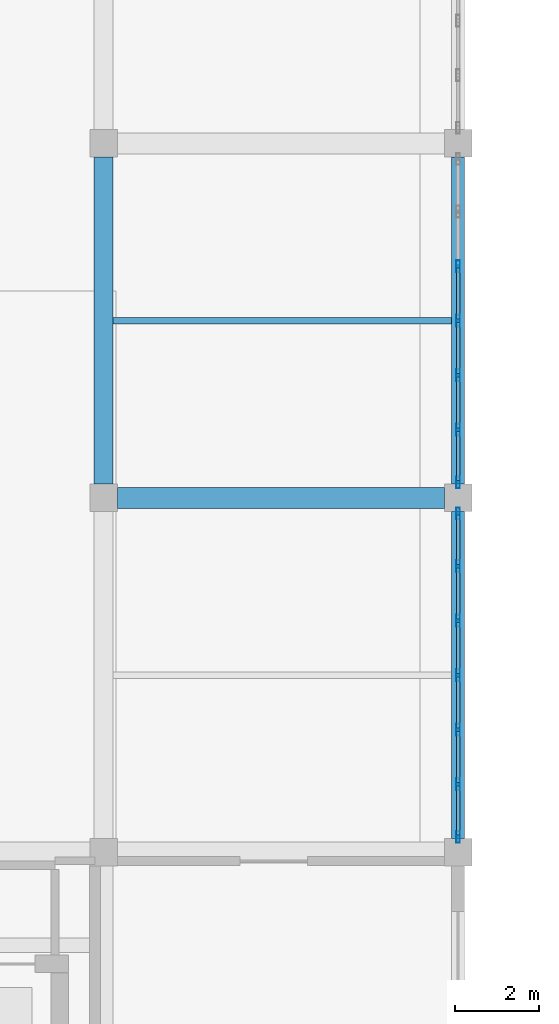
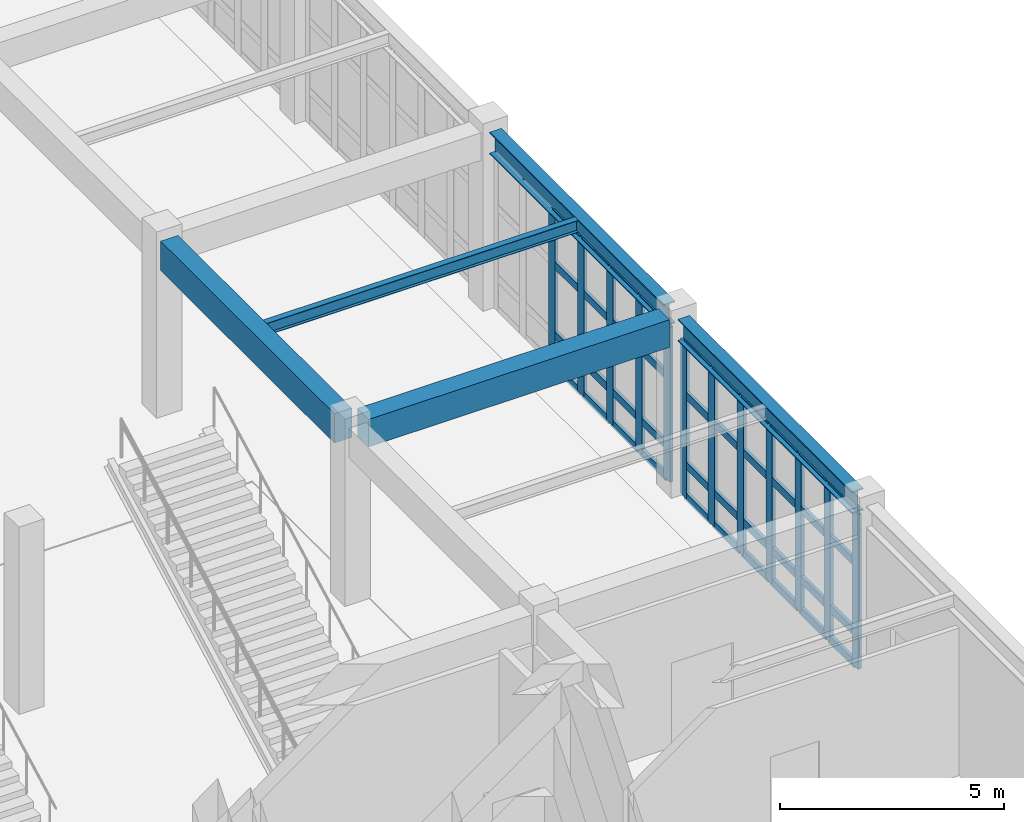
# One storey, part 22 of 80: 52 members, 5 beams, 2 elements without a shape of their own.
"""IFC4 building model written with IfcOpenShell, lengths in metres."""

from ifc_helpers import new_model, si_unit, direction, frame, origin, origin_2d, place, context, subcontext, project, spatial, rectangle, hollow_rectangle, i_section, extrude, material, layer, layer_set, material_profile, profile_set, type_object, element, aggregate, save


model = new_model("IFC4")

# Units and contexts
model_context = context("Model", 3, precision=1e-05, world=origin(), true_north=direction((0.0, 1.0)))
body_context = subcontext(model_context, "Body", "Model", "MODEL_VIEW")
ifc_project = project(units=[si_unit("LENGTHUNIT", "METRE"), si_unit("AREAUNIT", "SQUARE_METRE"), si_unit("VOLUMEUNIT", "CUBIC_METRE"), si_unit("PLANEANGLEUNIT", "RADIAN"), si_unit("MASSUNIT", "GRAM", prefix="KILO")], contexts=[model_context])

# Site, building, storey
site_placement = place(None, origin())
site = spatial("IfcSite", under=ifc_project, at=site_placement, CompositionType="ELEMENT")
building_placement = place(site_placement, origin())
building = spatial("IfcBuilding", under=site, at=building_placement, Name="Krzemoval Escarpment Law Courts", CompositionType="ELEMENT")
storey_placement = place(building_placement, origin())
storey = spatial("IfcBuildingStorey", under=building, at=storey_placement, Name="L00", CompositionType="ELEMENT", Elevation=0.0)

# Beams
ifc_material_1 = material(Name="Concrete C40/50", Category="concrete")
ifc_material_profile_1 = material_profile(ifc_material_1, rectangle(XDim=0.449951171875, YDim=0.800048828125, at=origin_2d()), Name="RCB 450x800")
ifc_profile_set_1 = profile_set([ifc_material_profile_1], Name="Concrete C40/50")
beam_type_1 = type_object("IfcBeamType", Name="BM-RC-450x800", PredefinedType="BEAM", material=ifc_profile_set_1)
beam_1_placement = place(storey_placement, frame((33.60009765625, 57.925048828125, 4.419921875), z_axis=(0.0, 1.0, 0.0), x_axis=(-1.0, 0.0, 0.0)))
element("IfcBeam", 1, at=beam_1_placement, inside=storey, type_object=beam_type_1, Name="Beam FG-L00-0869", PredefinedType="BEAM", context=body_context, shape_type="SweptSolid", body=[
    extrude(rectangle(XDim=0.449951171875, YDim=0.800048828125, at=origin_2d()), origin(), (0.0, 0.0, 1.0), 7.75),
])
ifc_material_2 = material(Name="Concrete C40/50", Category="concrete")
ifc_material_profile_2 = material_profile(ifc_material_2, rectangle(XDim=0.5, YDim=0.75, at=origin_2d()), Name="RCB 500x750")
ifc_profile_set_2 = profile_set([ifc_material_profile_2], Name="Concrete C40/50")
beam_type_2 = type_object("IfcBeamType", Name="BM-RC-500x750", PredefinedType="BEAM", material=ifc_profile_set_2)
beam_2_placement = place(storey_placement, frame((33.925048828125, 57.60009765625, 4.445068359375), z_axis=(1.0, 0.0, 0.0), x_axis=(0.0, 1.0, 0.0)))
element("IfcBeam", 2, at=beam_2_placement, inside=storey, type_object=beam_type_2, Name="Beam FG-L00-0698", PredefinedType="BEAM", context=body_context, shape_type="SweptSolid", body=[
    extrude(rectangle(XDim=0.5, YDim=0.75, at=origin_2d()), origin(), (0.0, 0.0, 1.0), 7.75),
])

# Curtain wall, members
ifc_material_3 = material(Name="Aluminium 6063-T6", Category="aluminium")
ifc_layer = layer(ifc_material_3, 0.280029296875)
ifc_layer_set = layer_set([ifc_layer], Name="Aluminium 6063-T6")
curtain_wall_type = type_object("IfcCurtainWallType", Name="CW-HALL-5100", PredefinedType="USERDEFINED", material=ifc_layer_set)
curtain_wall_1_placement = place(storey_placement, origin())
curtain_wall_1 = element("IfcCurtainWall", 3, at=curtain_wall_1_placement, inside=storey, type_object=curtain_wall_type, Name="Unitised Curtain Wall FCW-L00-020", ObjectType="UNITISED_CURTAIN_WALL", PredefinedType="USERDEFINED")
ifc_material_4 = material(Name="Aluminium 6063-T6", Category="aluminium")
ifc_material_profile_3 = material_profile(ifc_material_4, hollow_rectangle(XDim=0.0849609375, YDim=0.280029296875, WallThickness=0.005615234375, at=origin_2d()), Name="ALU M85x280")
ifc_profile_set_3 = profile_set([ifc_material_profile_3], Name="Aluminium 6063-T6")
member_type_1 = type_object("IfcMemberType", Name="CWM-85x280", PredefinedType="MULLION", material=ifc_profile_set_3)
member_1_placement = place(storey_placement, frame((42.0, 63.091552734375, 0.0), z_axis=(0.0, 0.0, 1.0), x_axis=(1.0, 0.0, 0.0)))
member_1 = element("IfcMember", 4, at=member_1_placement, type_object=member_type_1, Name="FCW-L00-020 mullion 3", PredefinedType="MULLION", context=body_context, shape_type="SweptSolid", body=[
    extrude(hollow_rectangle(XDim=0.0849609375, YDim=0.280029296875, WallThickness=0.005615234375, at=origin_2d()), origin(), (0.0, 0.0, 1.0), 4.219970703125),
])
member_2_placement = place(storey_placement, frame((42.0, 61.800048828125, 0.0), z_axis=(0.0, 0.0, 1.0), x_axis=(1.0, 0.0, 0.0)))
member_2 = element("IfcMember", 5, at=member_2_placement, type_object=member_type_1, Name="FCW-L00-020 mullion 4", PredefinedType="MULLION", context=body_context, shape_type="SweptSolid", body=[
    extrude(hollow_rectangle(XDim=0.0849609375, YDim=0.280029296875, WallThickness=0.005615234375, at=origin_2d()), origin(), (0.0, 0.0, 1.0), 4.219970703125),
])
member_3_placement = place(storey_placement, frame((42.0, 60.50830078125, 0.0), z_axis=(0.0, 0.0, 1.0), x_axis=(1.0, 0.0, 0.0)))
member_3 = element("IfcMember", 6, at=member_3_placement, type_object=member_type_1, Name="FCW-L00-020 mullion 5", PredefinedType="MULLION", context=body_context, shape_type="SweptSolid", body=[
    extrude(hollow_rectangle(XDim=0.0849609375, YDim=0.280029296875, WallThickness=0.005615234375, at=origin_2d()), origin(), (0.0, 0.0, 1.0), 4.219970703125),
])
member_4_placement = place(storey_placement, frame((42.0, 59.216552734375, 0.0), z_axis=(0.0, 0.0, 1.0), x_axis=(1.0, 0.0, 0.0)))
member_4 = element("IfcMember", 7, at=member_4_placement, type_object=member_type_1, Name="FCW-L00-020 mullion 6", PredefinedType="MULLION", context=body_context, shape_type="SweptSolid", body=[
    extrude(hollow_rectangle(XDim=0.0849609375, YDim=0.280029296875, WallThickness=0.005615234375, at=origin_2d()), origin(), (0.0, 0.0, 1.0), 4.219970703125),
])
member_5_placement = place(storey_placement, frame((42.0, 57.967529296875, 0.0), z_axis=(0.0, 0.0, 1.0), x_axis=(1.0, 0.0, 0.0)))
member_5 = element("IfcMember", 8, at=member_5_placement, type_object=member_type_1, Name="FCW-L00-020 mullion 7", PredefinedType="MULLION", context=body_context, shape_type="SweptSolid", body=[
    extrude(hollow_rectangle(XDim=0.0849609375, YDim=0.280029296875, WallThickness=0.005615234375, at=origin_2d()), origin(), (0.0, 0.0, 1.0), 4.219970703125),
])

curtain_wall_2_placement = place(storey_placement, origin())
curtain_wall_2 = element("IfcCurtainWall", 9, at=curtain_wall_2_placement, inside=storey, type_object=curtain_wall_type, Name="Unitised Curtain Wall FCW-L00-021", ObjectType="UNITISED_CURTAIN_WALL", PredefinedType="USERDEFINED")
member_6_placement = place(storey_placement, frame((42.0, 57.232421875, 0.0), z_axis=(0.0, 0.0, 1.0), x_axis=(1.0, 0.0, 0.0)))
member_6 = element("IfcMember", 10, at=member_6_placement, type_object=member_type_1, Name="FCW-L00-021 mullion 1", PredefinedType="MULLION", context=body_context, shape_type="SweptSolid", body=[
    extrude(hollow_rectangle(XDim=0.0849609375, YDim=0.280029296875, WallThickness=0.005615234375, at=origin_2d()), origin(), (0.0, 0.0, 1.0), 4.219970703125),
])
member_7_placement = place(storey_placement, frame((42.0, 55.9833984375, 0.0), z_axis=(0.0, 0.0, 1.0), x_axis=(1.0, 0.0, 0.0)))
member_7 = element("IfcMember", 11, at=member_7_placement, type_object=member_type_1, Name="FCW-L00-021 mullion 2", PredefinedType="MULLION", context=body_context, shape_type="SweptSolid", body=[
    extrude(hollow_rectangle(XDim=0.0849609375, YDim=0.280029296875, WallThickness=0.005615234375, at=origin_2d()), origin(), (0.0, 0.0, 1.0), 4.219970703125),
])
member_8_placement = place(storey_placement, frame((42.0, 54.691650390625, 0.0), z_axis=(0.0, 0.0, 1.0), x_axis=(1.0, 0.0, 0.0)))
member_8 = element("IfcMember", 12, at=member_8_placement, type_object=member_type_1, Name="FCW-L00-021 mullion 3", PredefinedType="MULLION", context=body_context, shape_type="SweptSolid", body=[
    extrude(hollow_rectangle(XDim=0.0849609375, YDim=0.280029296875, WallThickness=0.005615234375, at=origin_2d()), origin(), (0.0, 0.0, 1.0), 4.219970703125),
])
member_9_placement = place(storey_placement, frame((42.0, 53.39990234375, 0.0), z_axis=(0.0, 0.0, 1.0), x_axis=(1.0, 0.0, 0.0)))
member_9 = element("IfcMember", 13, at=member_9_placement, type_object=member_type_1, Name="FCW-L00-021 mullion 4", PredefinedType="MULLION", context=body_context, shape_type="SweptSolid", body=[
    extrude(hollow_rectangle(XDim=0.0849609375, YDim=0.280029296875, WallThickness=0.005615234375, at=origin_2d()), origin(), (0.0, 0.0, 1.0), 4.219970703125),
])
member_10_placement = place(storey_placement, frame((42.0, 52.1083984375, 0.0), z_axis=(0.0, 0.0, 1.0), x_axis=(1.0, 0.0, 0.0)))
member_10 = element("IfcMember", 14, at=member_10_placement, type_object=member_type_1, Name="FCW-L00-021 mullion 5", PredefinedType="MULLION", context=body_context, shape_type="SweptSolid", body=[
    extrude(hollow_rectangle(XDim=0.0849609375, YDim=0.280029296875, WallThickness=0.005615234375, at=origin_2d()), origin(), (0.0, 0.0, 1.0), 4.219970703125),
])
member_11_placement = place(storey_placement, frame((42.0, 50.816650390625, 0.0), z_axis=(0.0, 0.0, 1.0), x_axis=(1.0, 0.0, 0.0)))
member_11 = element("IfcMember", 15, at=member_11_placement, type_object=member_type_1, Name="FCW-L00-021 mullion 6", PredefinedType="MULLION", context=body_context, shape_type="SweptSolid", body=[
    extrude(hollow_rectangle(XDim=0.0849609375, YDim=0.280029296875, WallThickness=0.005615234375, at=origin_2d()), origin(), (0.0, 0.0, 1.0), 4.219970703125),
])
member_12_placement = place(storey_placement, frame((42.0, 49.5673828125, 0.0), z_axis=(0.0, 0.0, 1.0), x_axis=(1.0, 0.0, 0.0)))
member_12 = element("IfcMember", 16, at=member_12_placement, type_object=member_type_1, Name="FCW-L00-021 mullion 7", PredefinedType="MULLION", context=body_context, shape_type="SweptSolid", body=[
    extrude(hollow_rectangle(XDim=0.0849609375, YDim=0.280029296875, WallThickness=0.005615234375, at=origin_2d()), origin(), (0.0, 0.0, 1.0), 4.219970703125),
])

# Member
ifc_material_5 = material(Name="Aluminium 6063-T6", Category="aluminium")
ifc_material_profile_4 = material_profile(ifc_material_5, hollow_rectangle(XDim=0.0849609375, YDim=0.2099609375, WallThickness=0.005615234375, at=origin_2d()), Name="ALU T85x210")
ifc_profile_set_4 = profile_set([ifc_material_profile_4], Name="Aluminium 6063-T6")
member_type_2 = type_object("IfcMemberType", Name="CWT-85x210", PredefinedType="USERDEFINED", material=ifc_profile_set_4)
member_13_placement = place(storey_placement, frame((42.0, 63.049072265625, 0.04248046875), z_axis=(0.0, -1.0, 0.0), x_axis=(1.0, 0.0, 0.0)))
member_13 = element("IfcMember", 17, at=member_13_placement, type_object=member_type_2, Name="FCW-L00-020 transom 3.1", ObjectType="TRANSOM", PredefinedType="USERDEFINED", context=body_context, shape_type="SweptSolid", body=[
    extrude(hollow_rectangle(XDim=0.0849609375, YDim=0.2099609375, WallThickness=0.005615234375, at=origin_2d()), origin(), (0.0, 0.0, 1.0), 1.20654296875),
])

member_14_placement = place(storey_placement, frame((42.0, 63.049072265625, 0.89990234375), z_axis=(0.0, -1.0, 0.0), x_axis=(1.0, 0.0, 0.0)))
member_14 = element("IfcMember", 18, at=member_14_placement, type_object=member_type_2, Name="FCW-L00-020 transom 3.2", ObjectType="TRANSOM", PredefinedType="USERDEFINED", context=body_context, shape_type="SweptSolid", body=[
    extrude(hollow_rectangle(XDim=0.0849609375, YDim=0.2099609375, WallThickness=0.005615234375, at=origin_2d()), origin(), (0.0, 0.0, 1.0), 1.20654296875),
])

member_15_placement = place(storey_placement, frame((42.0, 63.049072265625, 2.800048828125), z_axis=(0.0, -1.0, 0.0), x_axis=(1.0, 0.0, 0.0)))
member_15 = element("IfcMember", 19, at=member_15_placement, type_object=member_type_2, Name="FCW-L00-020 transom 3.3", ObjectType="TRANSOM", PredefinedType="USERDEFINED", context=body_context, shape_type="SweptSolid", body=[
    extrude(hollow_rectangle(XDim=0.0849609375, YDim=0.2099609375, WallThickness=0.005615234375, at=origin_2d()), origin(), (0.0, 0.0, 1.0), 1.20654296875),
])

member_16_placement = place(storey_placement, frame((42.0, 63.049072265625, 4.177490234375), z_axis=(0.0, -1.0, 0.0), x_axis=(1.0, 0.0, 0.0)))
member_16 = element("IfcMember", 20, at=member_16_placement, type_object=member_type_2, Name="FCW-L00-020 transom 3.4", ObjectType="TRANSOM", PredefinedType="USERDEFINED", context=body_context, shape_type="SweptSolid", body=[
    extrude(hollow_rectangle(XDim=0.0849609375, YDim=0.2099609375, WallThickness=0.005615234375, at=origin_2d()), origin(), (0.0, 0.0, 1.0), 1.20654296875),
])

member_17_placement = place(storey_placement, frame((42.0, 61.757568359375, 0.04248046875), z_axis=(0.0, -1.0, 0.0), x_axis=(1.0, 0.0, 0.0)))
member_17 = element("IfcMember", 21, at=member_17_placement, type_object=member_type_2, Name="FCW-L00-020 transom 4.1", ObjectType="TRANSOM", PredefinedType="USERDEFINED", context=body_context, shape_type="SweptSolid", body=[
    extrude(hollow_rectangle(XDim=0.0849609375, YDim=0.2099609375, WallThickness=0.005615234375, at=origin_2d()), origin(), (0.0, 0.0, 1.0), 1.206787109375),
])

member_18_placement = place(storey_placement, frame((42.0, 61.757568359375, 0.89990234375), z_axis=(0.0, -1.0, 0.0), x_axis=(1.0, 0.0, 0.0)))
member_18 = element("IfcMember", 22, at=member_18_placement, type_object=member_type_2, Name="FCW-L00-020 transom 4.2", ObjectType="TRANSOM", PredefinedType="USERDEFINED", context=body_context, shape_type="SweptSolid", body=[
    extrude(hollow_rectangle(XDim=0.0849609375, YDim=0.2099609375, WallThickness=0.005615234375, at=origin_2d()), origin(), (0.0, 0.0, 1.0), 1.206787109375),
])

member_19_placement = place(storey_placement, frame((42.0, 61.757568359375, 2.800048828125), z_axis=(0.0, -1.0, 0.0), x_axis=(1.0, 0.0, 0.0)))
member_19 = element("IfcMember", 23, at=member_19_placement, type_object=member_type_2, Name="FCW-L00-020 transom 4.3", ObjectType="TRANSOM", PredefinedType="USERDEFINED", context=body_context, shape_type="SweptSolid", body=[
    extrude(hollow_rectangle(XDim=0.0849609375, YDim=0.2099609375, WallThickness=0.005615234375, at=origin_2d()), origin(), (0.0, 0.0, 1.0), 1.206787109375),
])

member_20_placement = place(storey_placement, frame((42.0, 61.757568359375, 4.177490234375), z_axis=(0.0, -1.0, 0.0), x_axis=(1.0, 0.0, 0.0)))
member_20 = element("IfcMember", 24, at=member_20_placement, type_object=member_type_2, Name="FCW-L00-020 transom 4.4", ObjectType="TRANSOM", PredefinedType="USERDEFINED", context=body_context, shape_type="SweptSolid", body=[
    extrude(hollow_rectangle(XDim=0.0849609375, YDim=0.2099609375, WallThickness=0.005615234375, at=origin_2d()), origin(), (0.0, 0.0, 1.0), 1.206787109375),
])

member_21_placement = place(storey_placement, frame((42.0, 60.4658203125, 0.04248046875), z_axis=(0.0, -1.0, 0.0), x_axis=(1.0, 0.0, 0.0)))
member_21 = element("IfcMember", 25, at=member_21_placement, type_object=member_type_2, Name="FCW-L00-020 transom 5.1", ObjectType="TRANSOM", PredefinedType="USERDEFINED", context=body_context, shape_type="SweptSolid", body=[
    extrude(hollow_rectangle(XDim=0.0849609375, YDim=0.2099609375, WallThickness=0.005615234375, at=origin_2d()), origin(), (0.0, 0.0, 1.0), 1.20654296875),
])

member_22_placement = place(storey_placement, frame((42.0, 60.4658203125, 0.89990234375), z_axis=(0.0, -1.0, 0.0), x_axis=(1.0, 0.0, 0.0)))
member_22 = element("IfcMember", 26, at=member_22_placement, type_object=member_type_2, Name="FCW-L00-020 transom 5.2", ObjectType="TRANSOM", PredefinedType="USERDEFINED", context=body_context, shape_type="SweptSolid", body=[
    extrude(hollow_rectangle(XDim=0.0849609375, YDim=0.2099609375, WallThickness=0.005615234375, at=origin_2d()), origin(), (0.0, 0.0, 1.0), 1.20654296875),
])

member_23_placement = place(storey_placement, frame((42.0, 60.4658203125, 2.800048828125), z_axis=(0.0, -1.0, 0.0), x_axis=(1.0, 0.0, 0.0)))
member_23 = element("IfcMember", 27, at=member_23_placement, type_object=member_type_2, Name="FCW-L00-020 transom 5.3", ObjectType="TRANSOM", PredefinedType="USERDEFINED", context=body_context, shape_type="SweptSolid", body=[
    extrude(hollow_rectangle(XDim=0.0849609375, YDim=0.2099609375, WallThickness=0.005615234375, at=origin_2d()), origin(), (0.0, 0.0, 1.0), 1.20654296875),
])

member_24_placement = place(storey_placement, frame((42.0, 60.4658203125, 4.177490234375), z_axis=(0.0, -1.0, 0.0), x_axis=(1.0, 0.0, 0.0)))
member_24 = element("IfcMember", 28, at=member_24_placement, type_object=member_type_2, Name="FCW-L00-020 transom 5.4", ObjectType="TRANSOM", PredefinedType="USERDEFINED", context=body_context, shape_type="SweptSolid", body=[
    extrude(hollow_rectangle(XDim=0.0849609375, YDim=0.2099609375, WallThickness=0.005615234375, at=origin_2d()), origin(), (0.0, 0.0, 1.0), 1.20654296875),
])

member_25_placement = place(storey_placement, frame((42.0, 59.174072265625, 0.04248046875), z_axis=(0.0, -1.0, 0.0), x_axis=(1.0, 0.0, 0.0)))
member_25 = element("IfcMember", 29, at=member_25_placement, type_object=member_type_2, Name="FCW-L00-020 transom 6.1", ObjectType="TRANSOM", PredefinedType="USERDEFINED", context=body_context, shape_type="SweptSolid", body=[
    extrude(hollow_rectangle(XDim=0.0849609375, YDim=0.2099609375, WallThickness=0.005615234375, at=origin_2d()), origin(), (0.0, 0.0, 1.0), 1.1640625),
])

member_26_placement = place(storey_placement, frame((42.0, 59.174072265625, 0.89990234375), z_axis=(0.0, -1.0, 0.0), x_axis=(1.0, 0.0, 0.0)))
member_26 = element("IfcMember", 30, at=member_26_placement, type_object=member_type_2, Name="FCW-L00-020 transom 6.2", ObjectType="TRANSOM", PredefinedType="USERDEFINED", context=body_context, shape_type="SweptSolid", body=[
    extrude(hollow_rectangle(XDim=0.0849609375, YDim=0.2099609375, WallThickness=0.005615234375, at=origin_2d()), origin(), (0.0, 0.0, 1.0), 1.1640625),
])

member_27_placement = place(storey_placement, frame((42.0, 59.174072265625, 2.800048828125), z_axis=(0.0, -1.0, 0.0), x_axis=(1.0, 0.0, 0.0)))
member_27 = element("IfcMember", 31, at=member_27_placement, type_object=member_type_2, Name="FCW-L00-020 transom 6.3", ObjectType="TRANSOM", PredefinedType="USERDEFINED", context=body_context, shape_type="SweptSolid", body=[
    extrude(hollow_rectangle(XDim=0.0849609375, YDim=0.2099609375, WallThickness=0.005615234375, at=origin_2d()), origin(), (0.0, 0.0, 1.0), 1.1640625),
])

member_28_placement = place(storey_placement, frame((42.0, 59.174072265625, 4.177490234375), z_axis=(0.0, -1.0, 0.0), x_axis=(1.0, 0.0, 0.0)))
member_28 = element("IfcMember", 32, at=member_28_placement, type_object=member_type_2, Name="FCW-L00-020 transom 6.4", ObjectType="TRANSOM", PredefinedType="USERDEFINED", context=body_context, shape_type="SweptSolid", body=[
    extrude(hollow_rectangle(XDim=0.0849609375, YDim=0.2099609375, WallThickness=0.005615234375, at=origin_2d()), origin(), (0.0, 0.0, 1.0), 1.1640625),
])

aggregate(curtain_wall_1, [member_1, member_2, member_3, member_4, member_5, member_13, member_14, member_15, member_16, member_17, member_18, member_19, member_20, member_21, member_22, member_23, member_24, member_25, member_26, member_27, member_28])

member_29_placement = place(storey_placement, frame((42.0, 57.18994140625, 0.04248046875), z_axis=(0.0, -1.0, 0.0), x_axis=(1.0, 0.0, 0.0)))
member_29 = element("IfcMember", 33, at=member_29_placement, type_object=member_type_2, Name="FCW-L00-021 transom 1.1", ObjectType="TRANSOM", PredefinedType="USERDEFINED", context=body_context, shape_type="SweptSolid", body=[
    extrude(hollow_rectangle(XDim=0.0849609375, YDim=0.2099609375, WallThickness=0.005615234375, at=origin_2d()), origin(), (0.0, 0.0, 1.0), 1.1640625),
])

member_30_placement = place(storey_placement, frame((42.0, 57.18994140625, 0.89990234375), z_axis=(0.0, -1.0, 0.0), x_axis=(1.0, 0.0, 0.0)))
member_30 = element("IfcMember", 34, at=member_30_placement, type_object=member_type_2, Name="FCW-L00-021 transom 1.2", ObjectType="TRANSOM", PredefinedType="USERDEFINED", context=body_context, shape_type="SweptSolid", body=[
    extrude(hollow_rectangle(XDim=0.0849609375, YDim=0.2099609375, WallThickness=0.005615234375, at=origin_2d()), origin(), (0.0, 0.0, 1.0), 1.1640625),
])

member_31_placement = place(storey_placement, frame((42.0, 57.18994140625, 2.800048828125), z_axis=(0.0, -1.0, 0.0), x_axis=(1.0, 0.0, 0.0)))
member_31 = element("IfcMember", 35, at=member_31_placement, type_object=member_type_2, Name="FCW-L00-021 transom 1.3", ObjectType="TRANSOM", PredefinedType="USERDEFINED", context=body_context, shape_type="SweptSolid", body=[
    extrude(hollow_rectangle(XDim=0.0849609375, YDim=0.2099609375, WallThickness=0.005615234375, at=origin_2d()), origin(), (0.0, 0.0, 1.0), 1.1640625),
])

member_32_placement = place(storey_placement, frame((42.0, 57.18994140625, 4.177490234375), z_axis=(0.0, -1.0, 0.0), x_axis=(1.0, 0.0, 0.0)))
member_32 = element("IfcMember", 36, at=member_32_placement, type_object=member_type_2, Name="FCW-L00-021 transom 1.4", ObjectType="TRANSOM", PredefinedType="USERDEFINED", context=body_context, shape_type="SweptSolid", body=[
    extrude(hollow_rectangle(XDim=0.0849609375, YDim=0.2099609375, WallThickness=0.005615234375, at=origin_2d()), origin(), (0.0, 0.0, 1.0), 1.1640625),
])

member_33_placement = place(storey_placement, frame((42.0, 55.94091796875, 0.04248046875), z_axis=(0.0, -1.0, 0.0), x_axis=(1.0, 0.0, 0.0)))
member_33 = element("IfcMember", 37, at=member_33_placement, type_object=member_type_2, Name="FCW-L00-021 transom 2.1", ObjectType="TRANSOM", PredefinedType="USERDEFINED", context=body_context, shape_type="SweptSolid", body=[
    extrude(hollow_rectangle(XDim=0.0849609375, YDim=0.2099609375, WallThickness=0.005615234375, at=origin_2d()), origin(), (0.0, 0.0, 1.0), 1.206787109375),
])

member_34_placement = place(storey_placement, frame((42.0, 55.94091796875, 0.89990234375), z_axis=(0.0, -1.0, 0.0), x_axis=(1.0, 0.0, 0.0)))
member_34 = element("IfcMember", 38, at=member_34_placement, type_object=member_type_2, Name="FCW-L00-021 transom 2.2", ObjectType="TRANSOM", PredefinedType="USERDEFINED", context=body_context, shape_type="SweptSolid", body=[
    extrude(hollow_rectangle(XDim=0.0849609375, YDim=0.2099609375, WallThickness=0.005615234375, at=origin_2d()), origin(), (0.0, 0.0, 1.0), 1.206787109375),
])

member_35_placement = place(storey_placement, frame((42.0, 55.94091796875, 2.800048828125), z_axis=(0.0, -1.0, 0.0), x_axis=(1.0, 0.0, 0.0)))
member_35 = element("IfcMember", 39, at=member_35_placement, type_object=member_type_2, Name="FCW-L00-021 transom 2.3", ObjectType="TRANSOM", PredefinedType="USERDEFINED", context=body_context, shape_type="SweptSolid", body=[
    extrude(hollow_rectangle(XDim=0.0849609375, YDim=0.2099609375, WallThickness=0.005615234375, at=origin_2d()), origin(), (0.0, 0.0, 1.0), 1.206787109375),
])

member_36_placement = place(storey_placement, frame((42.0, 55.94091796875, 4.177490234375), z_axis=(0.0, -1.0, 0.0), x_axis=(1.0, 0.0, 0.0)))
member_36 = element("IfcMember", 40, at=member_36_placement, type_object=member_type_2, Name="FCW-L00-021 transom 2.4", ObjectType="TRANSOM", PredefinedType="USERDEFINED", context=body_context, shape_type="SweptSolid", body=[
    extrude(hollow_rectangle(XDim=0.0849609375, YDim=0.2099609375, WallThickness=0.005615234375, at=origin_2d()), origin(), (0.0, 0.0, 1.0), 1.206787109375),
])

member_37_placement = place(storey_placement, frame((42.0, 54.649169921875, 0.04248046875), z_axis=(0.0, -1.0, 0.0), x_axis=(1.0, 0.0, 0.0)))
member_37 = element("IfcMember", 41, at=member_37_placement, type_object=member_type_2, Name="FCW-L00-021 transom 3.1", ObjectType="TRANSOM", PredefinedType="USERDEFINED", context=body_context, shape_type="SweptSolid", body=[
    extrude(hollow_rectangle(XDim=0.0849609375, YDim=0.2099609375, WallThickness=0.005615234375, at=origin_2d()), origin(), (0.0, 0.0, 1.0), 1.206787109375),
])

member_38_placement = place(storey_placement, frame((42.0, 54.649169921875, 0.89990234375), z_axis=(0.0, -1.0, 0.0), x_axis=(1.0, 0.0, 0.0)))
member_38 = element("IfcMember", 42, at=member_38_placement, type_object=member_type_2, Name="FCW-L00-021 transom 3.2", ObjectType="TRANSOM", PredefinedType="USERDEFINED", context=body_context, shape_type="SweptSolid", body=[
    extrude(hollow_rectangle(XDim=0.0849609375, YDim=0.2099609375, WallThickness=0.005615234375, at=origin_2d()), origin(), (0.0, 0.0, 1.0), 1.206787109375),
])

member_39_placement = place(storey_placement, frame((42.0, 54.649169921875, 2.800048828125), z_axis=(0.0, -1.0, 0.0), x_axis=(1.0, 0.0, 0.0)))
member_39 = element("IfcMember", 43, at=member_39_placement, type_object=member_type_2, Name="FCW-L00-021 transom 3.3", ObjectType="TRANSOM", PredefinedType="USERDEFINED", context=body_context, shape_type="SweptSolid", body=[
    extrude(hollow_rectangle(XDim=0.0849609375, YDim=0.2099609375, WallThickness=0.005615234375, at=origin_2d()), origin(), (0.0, 0.0, 1.0), 1.206787109375),
])

member_40_placement = place(storey_placement, frame((42.0, 54.649169921875, 4.177490234375), z_axis=(0.0, -1.0, 0.0), x_axis=(1.0, 0.0, 0.0)))
member_40 = element("IfcMember", 44, at=member_40_placement, type_object=member_type_2, Name="FCW-L00-021 transom 3.4", ObjectType="TRANSOM", PredefinedType="USERDEFINED", context=body_context, shape_type="SweptSolid", body=[
    extrude(hollow_rectangle(XDim=0.0849609375, YDim=0.2099609375, WallThickness=0.005615234375, at=origin_2d()), origin(), (0.0, 0.0, 1.0), 1.206787109375),
])

member_41_placement = place(storey_placement, frame((42.0, 53.357421875, 0.04248046875), z_axis=(0.0, -1.0, 0.0), x_axis=(1.0, 0.0, 0.0)))
member_41 = element("IfcMember", 45, at=member_41_placement, type_object=member_type_2, Name="FCW-L00-021 transom 4.1", ObjectType="TRANSOM", PredefinedType="USERDEFINED", context=body_context, shape_type="SweptSolid", body=[
    extrude(hollow_rectangle(XDim=0.0849609375, YDim=0.2099609375, WallThickness=0.005615234375, at=origin_2d()), origin(), (0.0, 0.0, 1.0), 1.20654296875),
])

member_42_placement = place(storey_placement, frame((42.0, 53.357421875, 0.89990234375), z_axis=(0.0, -1.0, 0.0), x_axis=(1.0, 0.0, 0.0)))
member_42 = element("IfcMember", 46, at=member_42_placement, type_object=member_type_2, Name="FCW-L00-021 transom 4.2", ObjectType="TRANSOM", PredefinedType="USERDEFINED", context=body_context, shape_type="SweptSolid", body=[
    extrude(hollow_rectangle(XDim=0.0849609375, YDim=0.2099609375, WallThickness=0.005615234375, at=origin_2d()), origin(), (0.0, 0.0, 1.0), 1.20654296875),
])

member_43_placement = place(storey_placement, frame((42.0, 53.357421875, 2.800048828125), z_axis=(0.0, -1.0, 0.0), x_axis=(1.0, 0.0, 0.0)))
member_43 = element("IfcMember", 47, at=member_43_placement, type_object=member_type_2, Name="FCW-L00-021 transom 4.3", ObjectType="TRANSOM", PredefinedType="USERDEFINED", context=body_context, shape_type="SweptSolid", body=[
    extrude(hollow_rectangle(XDim=0.0849609375, YDim=0.2099609375, WallThickness=0.005615234375, at=origin_2d()), origin(), (0.0, 0.0, 1.0), 1.20654296875),
])

member_44_placement = place(storey_placement, frame((42.0, 53.357421875, 4.177490234375), z_axis=(0.0, -1.0, 0.0), x_axis=(1.0, 0.0, 0.0)))
member_44 = element("IfcMember", 48, at=member_44_placement, type_object=member_type_2, Name="FCW-L00-021 transom 4.4", ObjectType="TRANSOM", PredefinedType="USERDEFINED", context=body_context, shape_type="SweptSolid", body=[
    extrude(hollow_rectangle(XDim=0.0849609375, YDim=0.2099609375, WallThickness=0.005615234375, at=origin_2d()), origin(), (0.0, 0.0, 1.0), 1.20654296875),
])

member_45_placement = place(storey_placement, frame((42.0, 52.06591796875, 0.04248046875), z_axis=(0.0, -1.0, 0.0), x_axis=(1.0, 0.0, 0.0)))
member_45 = element("IfcMember", 49, at=member_45_placement, type_object=member_type_2, Name="FCW-L00-021 transom 5.1", ObjectType="TRANSOM", PredefinedType="USERDEFINED", context=body_context, shape_type="SweptSolid", body=[
    extrude(hollow_rectangle(XDim=0.0849609375, YDim=0.2099609375, WallThickness=0.005615234375, at=origin_2d()), origin(), (0.0, 0.0, 1.0), 1.206787109375),
])

member_46_placement = place(storey_placement, frame((42.0, 52.06591796875, 0.89990234375), z_axis=(0.0, -1.0, 0.0), x_axis=(1.0, 0.0, 0.0)))
member_46 = element("IfcMember", 50, at=member_46_placement, type_object=member_type_2, Name="FCW-L00-021 transom 5.2", ObjectType="TRANSOM", PredefinedType="USERDEFINED", context=body_context, shape_type="SweptSolid", body=[
    extrude(hollow_rectangle(XDim=0.0849609375, YDim=0.2099609375, WallThickness=0.005615234375, at=origin_2d()), origin(), (0.0, 0.0, 1.0), 1.206787109375),
])

member_47_placement = place(storey_placement, frame((42.0, 52.06591796875, 2.800048828125), z_axis=(0.0, -1.0, 0.0), x_axis=(1.0, 0.0, 0.0)))
member_47 = element("IfcMember", 51, at=member_47_placement, type_object=member_type_2, Name="FCW-L00-021 transom 5.3", ObjectType="TRANSOM", PredefinedType="USERDEFINED", context=body_context, shape_type="SweptSolid", body=[
    extrude(hollow_rectangle(XDim=0.0849609375, YDim=0.2099609375, WallThickness=0.005615234375, at=origin_2d()), origin(), (0.0, 0.0, 1.0), 1.206787109375),
])

member_48_placement = place(storey_placement, frame((42.0, 52.06591796875, 4.177490234375), z_axis=(0.0, -1.0, 0.0), x_axis=(1.0, 0.0, 0.0)))
member_48 = element("IfcMember", 52, at=member_48_placement, type_object=member_type_2, Name="FCW-L00-021 transom 5.4", ObjectType="TRANSOM", PredefinedType="USERDEFINED", context=body_context, shape_type="SweptSolid", body=[
    extrude(hollow_rectangle(XDim=0.0849609375, YDim=0.2099609375, WallThickness=0.005615234375, at=origin_2d()), origin(), (0.0, 0.0, 1.0), 1.206787109375),
])

member_49_placement = place(storey_placement, frame((42.0, 50.774169921875, 0.04248046875), z_axis=(0.0, -1.0, 0.0), x_axis=(1.0, 0.0, 0.0)))
member_49 = element("IfcMember", 53, at=member_49_placement, type_object=member_type_2, Name="FCW-L00-021 transom 6.1", ObjectType="TRANSOM", PredefinedType="USERDEFINED", context=body_context, shape_type="SweptSolid", body=[
    extrude(hollow_rectangle(XDim=0.0849609375, YDim=0.2099609375, WallThickness=0.005615234375, at=origin_2d()), origin(), (0.0, 0.0, 1.0), 1.1640625),
])

member_50_placement = place(storey_placement, frame((42.0, 50.774169921875, 0.89990234375), z_axis=(0.0, -1.0, 0.0), x_axis=(1.0, 0.0, 0.0)))
member_50 = element("IfcMember", 54, at=member_50_placement, type_object=member_type_2, Name="FCW-L00-021 transom 6.2", ObjectType="TRANSOM", PredefinedType="USERDEFINED", context=body_context, shape_type="SweptSolid", body=[
    extrude(hollow_rectangle(XDim=0.0849609375, YDim=0.2099609375, WallThickness=0.005615234375, at=origin_2d()), origin(), (0.0, 0.0, 1.0), 1.1640625),
])

member_51_placement = place(storey_placement, frame((42.0, 50.774169921875, 2.800048828125), z_axis=(0.0, -1.0, 0.0), x_axis=(1.0, 0.0, 0.0)))
member_51 = element("IfcMember", 55, at=member_51_placement, type_object=member_type_2, Name="FCW-L00-021 transom 6.3", ObjectType="TRANSOM", PredefinedType="USERDEFINED", context=body_context, shape_type="SweptSolid", body=[
    extrude(hollow_rectangle(XDim=0.0849609375, YDim=0.2099609375, WallThickness=0.005615234375, at=origin_2d()), origin(), (0.0, 0.0, 1.0), 1.1640625),
])

member_52_placement = place(storey_placement, frame((42.0, 50.774169921875, 4.177490234375), z_axis=(0.0, -1.0, 0.0), x_axis=(1.0, 0.0, 0.0)))
member_52 = element("IfcMember", 56, at=member_52_placement, type_object=member_type_2, Name="FCW-L00-021 transom 6.4", ObjectType="TRANSOM", PredefinedType="USERDEFINED", context=body_context, shape_type="SweptSolid", body=[
    extrude(hollow_rectangle(XDim=0.0849609375, YDim=0.2099609375, WallThickness=0.005615234375, at=origin_2d()), origin(), (0.0, 0.0, 1.0), 1.1640625),
])

aggregate(curtain_wall_2, [member_6, member_7, member_8, member_9, member_10, member_11, member_12, member_29, member_30, member_31, member_32, member_33, member_34, member_35, member_36, member_37, member_38, member_39, member_40, member_41, member_42, member_43, member_44, member_45, member_46, member_47, member_48, member_49, member_50, member_51, member_52])

# Beams
ifc_material_6 = material(Name="Steel S355", Category="steel")
ifc_material_profile_5 = material_profile(ifc_material_6, i_section(OverallWidth=0.159912109375, OverallDepth=0.330078125, WebThickness=0.007568359375, FlangeThickness=0.011474609375, at=origin_2d()), Name="IPE 330")
ifc_profile_set_5 = profile_set([ifc_material_profile_5], Name="Steel S355")
beam_type_3 = type_object("IfcBeamType", Name="JST-S355-IPE330", PredefinedType="JOIST", material=ifc_profile_set_5)
beam_3_placement = place(storey_placement, frame((33.824951171875, 61.800048828125, 4.655029296875), z_axis=(1.0, 0.0, 0.0), x_axis=(0.0, 1.0, 0.0)))
element("IfcBeam", 57, at=beam_3_placement, inside=storey, type_object=beam_type_3, Name="Secondary Joist FJ-L00-1069", PredefinedType="JOIST", context=body_context, shape_type="SweptSolid", body=[
    extrude(i_section(OverallWidth=0.159912109375, OverallDepth=0.330078125, WebThickness=0.007568359375, FlangeThickness=0.011474609375, at=origin_2d()), origin(), (0.0, 0.0, 1.0), 8.025146484375),
])
ifc_material_7 = material(Name="Steel S355", Category="steel")
ifc_material_profile_6 = material_profile(ifc_material_7, i_section(OverallWidth=0.300048828125, OverallDepth=0.60009765625, WebThickness=0.015380859375, FlangeThickness=0.030029296875, at=origin_2d()), Name="HEB 600")
ifc_profile_set_6 = profile_set([ifc_material_profile_6], Name="Steel S355")
beam_type_4 = type_object("IfcBeamType", Name="SPN-S355-HEB600", PredefinedType="SPANDREL", material=ifc_profile_set_6)
for number, where, z_axis, x_axis, name in (
    (58, (42.0, 49.52490234375, 4.52001953125), (0.0, 1.0, 0.0), (-1.0, 0.0, 0.0), "Beam FG-L00-0884"),
    (59, (42.0, 57.925048828125, 4.52001953125), (0.0, 1.0, 0.0), (-1.0, 0.0, 0.0), "Beam FG-L00-0885"),
):
    element("IfcBeam", number, at=place(storey_placement, frame(where, z_axis=z_axis, x_axis=x_axis)), inside=storey, type_object=beam_type_4, Name=name, PredefinedType="SPANDREL", context=body_context, shape_type="SweptSolid", body=[
        extrude(i_section(OverallWidth=0.300048828125, OverallDepth=0.60009765625, WebThickness=0.015380859375, FlangeThickness=0.030029296875, at=origin_2d()), origin(), (0.0, 0.0, 1.0), 7.75),
    ])

save(model, "model.ifc")
